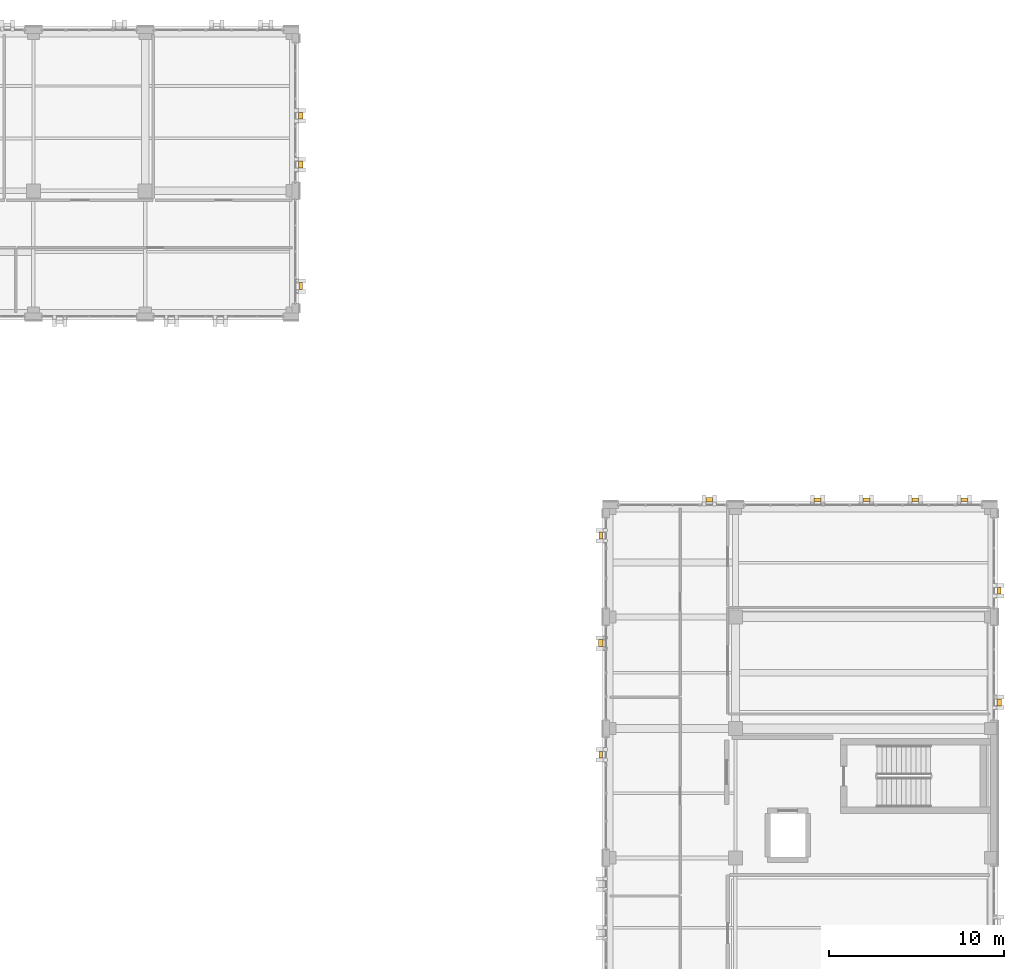
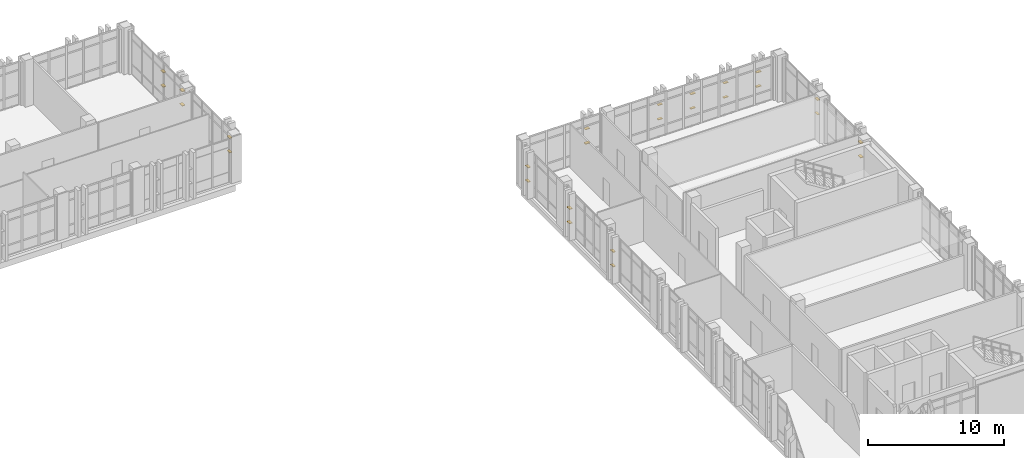
# One storey, part 158 of 158: 26 shading devices.
"""IFC4 building model written with IfcOpenShell, lengths in metres."""

import ifcopenshell
import ifcopenshell.guid

model = None  # the IFC model being written
_history = None  # IfcOwnerHistory: only IFC2X3 demands one
_inside = {}  # id of a spatial element -> (the spatial element, [elements in it])
_under = {}  # id of a project, library or spatial element -> (it, [spatial elements below it])
_declared = {}  # id of a project -> (the project, [libraries it declares])
_typed = {}  # id of a type object -> (the type object, [elements of that type])
_made_of = {}  # id of a material, layer set ... -> (it, [elements and type objects made of it])


def new_model(schema):
    """Start an empty IFC model of exactly this schema.

    Asked for "IFC4X3", IfcOpenShell would pick the latest addendum, in which some entities
    have other attributes; the version numbers below select the first issue.
    IFC2X3 requires an IfcOwnerHistory on every rooted entity: one is made here for all.
    """
    global model, _history
    if schema == "IFC4X3":
        model = ifcopenshell.file(schema_version=(4, 3, 0, 0))
    else:
        model = ifcopenshell.file(schema=schema)
    _inside.clear()
    _under.clear()
    _declared.clear()
    _typed.clear()
    _made_of.clear()
    _history = None
    if model.schema == "IFC2X3":
        org = make("IfcOrganization", Name="unknown")
        user = make(
            "IfcPersonAndOrganization",
            ThePerson=make("IfcPerson", FamilyName="unknown"),
            TheOrganization=org,
        )
        app = make(
            "IfcApplication",
            ApplicationDeveloper=org,
            Version="unknown",
            ApplicationFullName="unknown",
            ApplicationIdentifier="unknown",
        )
        _history = make(
            "IfcOwnerHistory",
            OwningUser=user,
            OwningApplication=app,
            ChangeAction="ADDED",
            CreationDate=0,
        )
    return model


def make(cls, **values):
    """One entity of the class cls with the attributes given. An attribute that is None is left unset."""
    return model.create_entity(
        cls, **{name: value for name, value in values.items() if value is not None}
    )


def rooted(cls, **values):
    """An entity with a GlobalId (a new one), such as an element, a storey or a relation."""
    return make(cls, GlobalId=ifcopenshell.guid.new(), OwnerHistory=_history, **values)


def si_unit(unit_type, name, prefix=None):
    """IfcSIUnit, for example si_unit("LENGTHUNIT", "METRE", prefix="MILLI")."""
    return make("IfcSIUnit", UnitType=unit_type, Prefix=prefix, Name=name)


def assignment(units):
    """IfcUnitAssignment: the units of a project."""
    return None if units is None else make("IfcUnitAssignment", Units=units)


def point(xyz):
    """IfcCartesianPoint."""
    return None if xyz is None else make("IfcCartesianPoint", Coordinates=xyz)


def direction(xyz):
    """IfcDirection."""
    return None if xyz is None else make("IfcDirection", DirectionRatios=xyz)


def frame(location, z_axis=None, x_axis=None):
    """IfcAxis2Placement3D, a coordinate frame: its origin and axes. An axis left out is left unset."""
    return make(
        "IfcAxis2Placement3D",
        Location=point(location),
        Axis=direction(z_axis),
        RefDirection=direction(x_axis),
    )


def frame_2d(location, x_axis=None):
    """IfcAxis2Placement2D, a coordinate frame in the plane: its origin and x axis."""
    return make(
        "IfcAxis2Placement2D", Location=point(location), RefDirection=direction(x_axis)
    )


def origin():
    """The frame at (0, 0, 0) with its axes left unset."""
    return frame((0.0, 0.0, 0.0))


def origin_2d():
    """The frame at (0, 0) in the plane with its x axis left unset."""
    return frame_2d((0.0, 0.0))


def place(relative_to, where):
    """IfcLocalPlacement: puts the frame where relative to a parent placement (None: the world)."""
    return make(
        "IfcLocalPlacement", PlacementRelTo=relative_to, RelativePlacement=where
    )


def context(
    kind, dimensions, precision=None, world=None, true_north=None, identifier=None
):
    """IfcGeometricRepresentationContext, for example the 3D "Model" context."""
    return make(
        "IfcGeometricRepresentationContext",
        ContextIdentifier=identifier,
        ContextType=kind,
        CoordinateSpaceDimension=dimensions,
        Precision=precision,
        WorldCoordinateSystem=world,
        TrueNorth=true_north,
    )


def subcontext(parent, identifier, kind, view, scale=None):
    """IfcGeometricRepresentationSubContext, for example "Body" below "Model"."""
    return make(
        "IfcGeometricRepresentationSubContext",
        ContextIdentifier=identifier,
        ContextType=kind,
        ParentContext=parent,
        TargetScale=scale,
        TargetView=view,
    )


def project(units=None, contexts=None):
    """IfcProject with its units and contexts."""
    return rooted(
        "IfcProject",
        Name="project",
        RepresentationContexts=contexts,
        UnitsInContext=assignment(units),
    )


def spatial(cls, under=None, at=None, **own):
    """A site, building, storey or space (cls), placed at a placement, below another one or the project."""
    s = rooted(cls, ObjectPlacement=at, **own)
    if under is not None:
        _under.setdefault(under.id(), (under, []))[1].append(s)
    return s


def profile(cls, at=None, kind="AREA", **sizes):
    """A parametric profile (cls). Its sizes go by their IFC names, for example OverallWidth=200.0."""
    return make(cls, ProfileType=kind, Position=at, **sizes)


def rectangle(**sizes):
    """IfcRectangleProfileDef."""
    return profile("IfcRectangleProfileDef", **sizes)


def extrude(swept, where, along, depth):
    """IfcExtrudedAreaSolid: the profile swept, set in the frame where, extruded along a direction by depth."""
    return make(
        "IfcExtrudedAreaSolid",
        SweptArea=swept,
        Position=where,
        ExtrudedDirection=direction(along),
        Depth=depth,
    )


def shape(context_of_items, identifier, shape_type, items):
    """IfcShapeRepresentation: the items that make up one representation, for example the "Body"."""
    return make(
        "IfcShapeRepresentation",
        ContextOfItems=context_of_items,
        RepresentationIdentifier=identifier,
        RepresentationType=shape_type,
        Items=items,
    )


def material(Name=None, Category=None):
    """IfcMaterial."""
    return make("IfcMaterial", Name=Name, Category=Category)


def made_of(thing, what):
    """Note that an element or type object is made of a material, layer set ...; save() writes the relation."""
    if what is not None:
        _made_of.setdefault(what.id(), (what, []))[1].append(thing)
    return thing


def type_object(cls, material=None, **own):
    """A type object (cls), such as IfcWallType, which elements share."""
    return made_of(rooted(cls, **own), material)


def element(
    cls,
    number,
    at=None,
    inside=None,
    cuts=None,
    type_object=None,
    material=None,
    context=None,
    identifier="Body",
    shape_type=None,
    held_by="IfcProductDefinitionShape",
    body=None,
    shapes=None,
    **own,
):
    """One element of the class cls, such as IfcWall. Its Tag is "e" and its number.

    at: its placement. inside: the storey or other place that contains it. cuts: it is an
    opening in that element (IfcRelVoidsElement). A single representation is given by context,
    identifier, shape_type and body (its items); several are given by shapes. held_by: the class
    of the entity that holds the representations. save() writes the other relations.
    """
    e = rooted(cls, Tag="e%d" % number, ObjectPlacement=at, **own)
    if body is not None:
        shapes = [shape(context, identifier, shape_type, body)]
    if shapes is not None:
        e.Representation = make(held_by, Representations=shapes)
    if inside is not None:
        _inside.setdefault(inside.id(), (inside, []))[1].append(e)
    if cuts is not None:
        rooted(
            "IfcRelVoidsElement", RelatingBuildingElement=cuts, RelatedOpeningElement=e
        )
    if type_object is not None:
        _typed.setdefault(type_object.id(), (type_object, []))[1].append(e)
    return made_of(e, material)


def aggregate(whole, parts):
    """IfcRelAggregates: a whole, such as a stair, and the parts it consists of."""
    return rooted("IfcRelAggregates", RelatingObject=whole, RelatedObjects=parts)


def save(model, path):
    """Write the relations noted so far, then the file.

    IfcRelAggregates (storeys below a building ...), IfcRelContainedInSpatialStructure (elements
    in a storey), IfcRelDefinesByType, IfcRelAssociatesMaterial and IfcRelDeclares: one each for
    every whole, place, type object, material and project.
    """
    for whole, parts in _under.values():
        aggregate(whole, parts)
    for where, things in _inside.values():
        rooted(
            "IfcRelContainedInSpatialStructure",
            RelatedElements=things,
            RelatingStructure=where,
        )
    for kind, things in _typed.values():
        rooted("IfcRelDefinesByType", RelatedObjects=things, RelatingType=kind)
    for what, things in _made_of.values():
        rooted("IfcRelAssociatesMaterial", RelatedObjects=things, RelatingMaterial=what)
    for by, libraries in _declared.values():
        rooted("IfcRelDeclares", RelatingContext=by, RelatedDefinitions=libraries)
    model.write(path)


model = new_model("IFC4")

# Units and contexts
model_context = context("Model", 3, precision=1e-05, world=origin(), true_north=direction((0.0, 1.0)))
body_context = subcontext(model_context, "Body", "Model", "MODEL_VIEW")
ifc_project = project(units=[si_unit("LENGTHUNIT", "METRE"), si_unit("AREAUNIT", "SQUARE_METRE"), si_unit("VOLUMEUNIT", "CUBIC_METRE"), si_unit("PLANEANGLEUNIT", "RADIAN"), si_unit("MASSUNIT", "GRAM", prefix="KILO")], contexts=[model_context])

# Site, building, storey
site_placement = place(None, origin())
site = spatial("IfcSite", under=ifc_project, at=site_placement, CompositionType="ELEMENT")
building_placement = place(site_placement, origin())
building = spatial("IfcBuilding", under=site, at=building_placement, Name="Qalavern Law Courts", CompositionType="ELEMENT")
storey_placement = place(building_placement, frame((0.0, 0.0, 18.60009765625)))
storey = spatial("IfcBuildingStorey", under=building, at=storey_placement, Name="L04", CompositionType="ELEMENT", Elevation=18.60009765625)

# Shading devices
ifc_material = material(Name="Anodised aluminium", Category="aluminium")
shading_device_type_1 = type_object("IfcShadingDeviceType", Name="ENV-LOUV-1", PredefinedType="JALOUSIE", material=ifc_material)
for number, where, z_axis, x_axis, name in (
    (1, (106.909912109375, 80.699951171875, 1.343505859375), (0.0, 0.0, 1.0), (0.0, 1.0, 0.0), "Horizontal sun louvre V4-L04-0-1"),
    (2, (106.909912109375, 80.699951171875, 2.638916015625), (0.0, 0.0, 1.0), (0.0, 1.0, 0.0), "Horizontal sun louvre V4-L04-0-2"),
    (3, (104.89990234375, 85.909912109375, 1.343505859375), (0.0, 0.0, 1.0), (-1.0, 0.0, 0.0), "Horizontal sun louvre V4-L04-0-1"),
    (4, (104.89990234375, 85.909912109375, 2.638916015625), (0.0, 0.0, 1.0), (-1.0, 0.0, 0.0), "Horizontal sun louvre V4-L04-0-2"),
    (5, (102.10009765625, 85.909912109375, 1.343505859375), (0.0, 0.0, 1.0), (-1.0, 0.0, 0.0), "Horizontal sun louvre V4-L04-1-1"),
    (6, (102.10009765625, 85.909912109375, 2.638916015625), (0.0, 0.0, 1.0), (-1.0, 0.0, 0.0), "Horizontal sun louvre V4-L04-1-2"),
    (7, (99.300048828125, 85.909912109375, 1.343505859375), (0.0, 0.0, 1.0), (-1.0, 0.0, 0.0), "Horizontal sun louvre V4-L04-2-1"),
    (8, (99.300048828125, 85.909912109375, 2.638916015625), (0.0, 0.0, 1.0), (-1.0, 0.0, 0.0), "Horizontal sun louvre V4-L04-2-2"),
    (9, (96.5, 85.909912109375, 1.343505859375), (0.0, 0.0, 1.0), (-1.0, 0.0, 0.0), "Horizontal sun louvre V4-L04-3-1"),
    (10, (96.5, 85.909912109375, 2.638916015625), (0.0, 0.0, 1.0), (-1.0, 0.0, 0.0), "Horizontal sun louvre V4-L04-3-2"),
    (11, (84.090087890625, 83.85498046875, 1.343505859375), (0.0, 0.0, 1.0), (0.0, -1.0, 0.0), "Horizontal sun louvre V4-L04-0-1"),
    (12, (84.090087890625, 83.85498046875, 2.638916015625), (0.0, 0.0, 1.0), (0.0, -1.0, 0.0), "Horizontal sun louvre V4-L04-0-2"),
    (13, (84.090087890625, 71.300048828125, 1.343505859375), (0.0, 0.0, 1.0), (0.0, -1.0, 0.0), "Horizontal sun louvre V4-L04-0-1"),
    (14, (84.090087890625, 71.300048828125, 2.638916015625), (0.0, 0.0, 1.0), (0.0, -1.0, 0.0), "Horizontal sun louvre V4-L04-0-2"),
    (15, (66.909912109375, 98.14501953125, 1.343505859375), (0.0, 0.0, 1.0), (0.0, 1.0, 0.0), "Horizontal sun louvre V5-L04-0-1"),
    (16, (66.909912109375, 98.14501953125, 2.638916015625), (0.0, 0.0, 1.0), (0.0, 1.0, 0.0), "Horizontal sun louvre V5-L04-0-2"),
):
    element("IfcShadingDevice", number, at=place(storey_placement, frame(where, z_axis=z_axis, x_axis=x_axis)), inside=storey, type_object=shading_device_type_1, Name=name, PredefinedType="JALOUSIE", context=body_context, shape_type="SweptSolid", body=[
        extrude(rectangle(XDim=0.389892578125, YDim=0.2099609375, at=origin_2d()), origin(), (0.0, 0.0, 1.0), 0.06005859375),
    ])
shading_device_type_2 = type_object("IfcShadingDeviceType", Name="ENV-LOUV-2", PredefinedType="JALOUSIE", material=ifc_material)
for number, where, z_axis, x_axis, name in (
    (17, (106.909912109375, 74.300048828125, 1.343505859375), (0.0, 0.0, 1.0), (0.0, 1.0, 0.0), "Horizontal sun louvre V4-L04-0-1"),
    (18, (106.909912109375, 74.300048828125, 2.638916015625), (0.0, 0.0, 1.0), (0.0, 1.0, 0.0), "Horizontal sun louvre V4-L04-0-2"),
    (19, (90.300048828125, 85.909912109375, 1.343505859375), (0.0, 0.0, 1.0), (-1.0, 0.0, 0.0), "Horizontal sun louvre V4-L04-0-1"),
    (20, (90.300048828125, 85.909912109375, 2.638916015625), (0.0, 0.0, 1.0), (-1.0, 0.0, 0.0), "Horizontal sun louvre V4-L04-0-2"),
    (21, (84.090087890625, 77.699951171875, 1.343505859375), (0.0, 0.0, 1.0), (0.0, -1.0, 0.0), "Horizontal sun louvre V4-L04-0-1"),
    (22, (84.090087890625, 77.699951171875, 2.638916015625), (0.0, 0.0, 1.0), (0.0, -1.0, 0.0), "Horizontal sun louvre V4-L04-0-2"),
    (23, (66.909912109375, 105.10009765625, 1.343505859375), (0.0, 0.0, 1.0), (0.0, 1.0, 0.0), "Horizontal sun louvre V5-L04-0-1"),
    (24, (66.909912109375, 105.10009765625, 2.638916015625), (0.0, 0.0, 1.0), (0.0, 1.0, 0.0), "Horizontal sun louvre V5-L04-0-2"),
    (25, (66.909912109375, 107.89990234375, 1.343505859375), (0.0, 0.0, 1.0), (0.0, 1.0, 0.0), "Horizontal sun louvre V5-L04-1-1"),
    (26, (66.909912109375, 107.89990234375, 2.638916015625), (0.0, 0.0, 1.0), (0.0, 1.0, 0.0), "Horizontal sun louvre V5-L04-1-2"),
):
    element("IfcShadingDevice", number, at=place(storey_placement, frame(where, z_axis=z_axis, x_axis=x_axis)), inside=storey, type_object=shading_device_type_2, Name=name, PredefinedType="JALOUSIE", context=body_context, shape_type="SweptSolid", body=[
        extrude(rectangle(XDim=0.389892578125, YDim=0.25, at=origin_2d()), origin(), (0.0, 0.0, 1.0), 0.06005859375),
    ])

save(model, "model.ifc")
